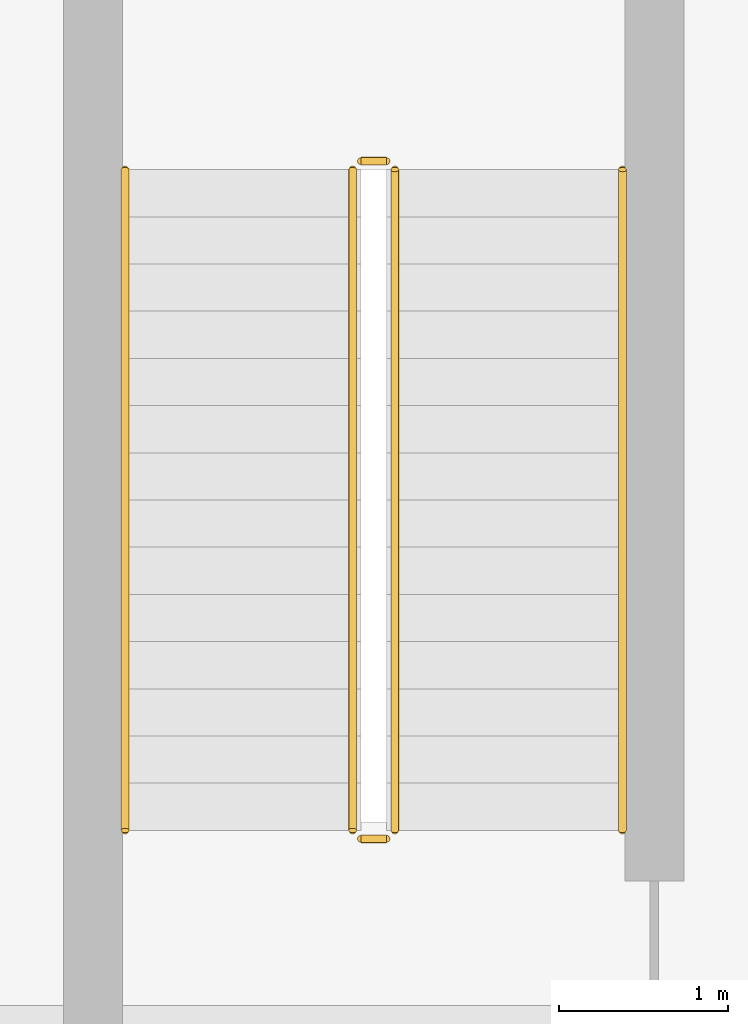
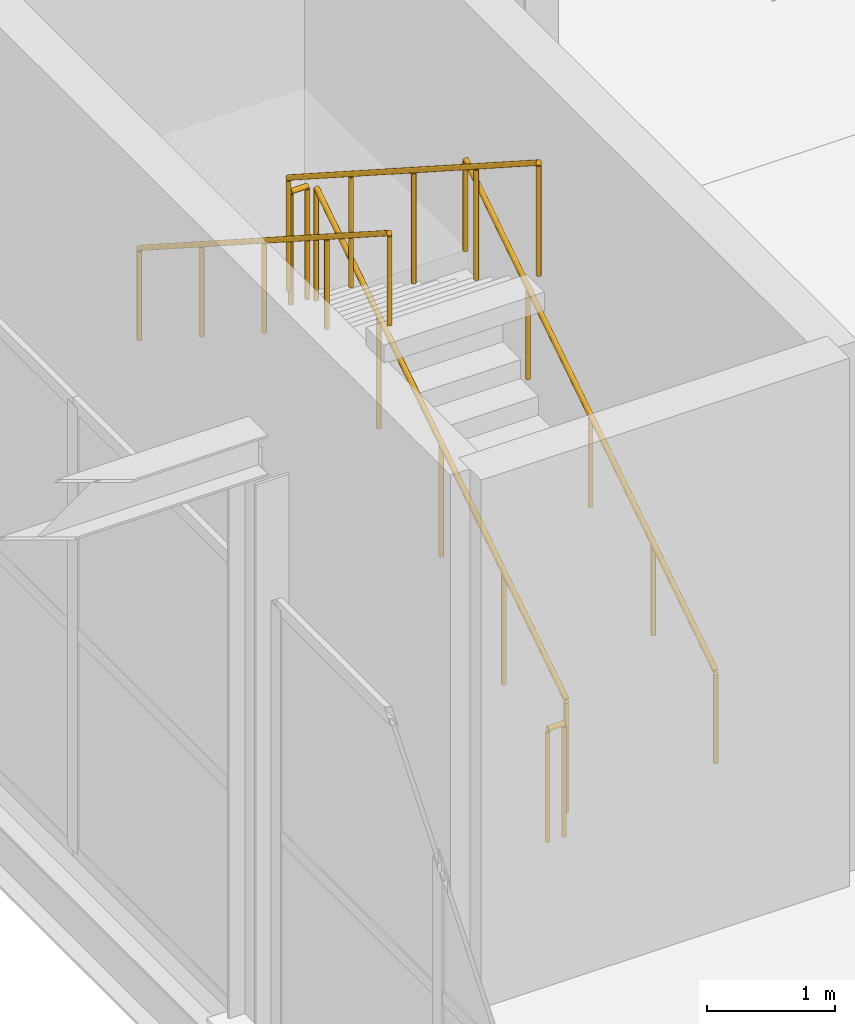
# One storey, part 140 of 147: 6 railings.
"""IFC4 building model written with IfcOpenShell, lengths in metres."""

from ifc_helpers import new_model, si_unit, direction, frame, origin, origin_2d, place, context, subcontext, project, spatial, circle, extrude, material, type_object, element, save


model = new_model("IFC4")

# Units and contexts
model_context = context("Model", 3, precision=1e-05, world=origin(), true_north=direction((0.0, 1.0)))
body_context = subcontext(model_context, "Body", "Model", "MODEL_VIEW")
ifc_project = project(units=[si_unit("LENGTHUNIT", "METRE"), si_unit("AREAUNIT", "SQUARE_METRE"), si_unit("VOLUMEUNIT", "CUBIC_METRE"), si_unit("PLANEANGLEUNIT", "RADIAN"), si_unit("MASSUNIT", "GRAM", prefix="KILO")], contexts=[model_context])

# Site, building, storey
site_placement = place(None, origin())
site = spatial("IfcSite", under=ifc_project, at=site_placement, CompositionType="ELEMENT")
building_placement = place(site_placement, origin())
building = spatial("IfcBuilding", under=site, at=building_placement, Name="Sundgate Opera House", CompositionType="ELEMENT")
storey_placement = place(building_placement, frame((0.0, 0.0, 6.0)))
storey = spatial("IfcBuildingStorey", under=building, at=storey_placement, Name="L01", CompositionType="ELEMENT", Elevation=6.0)

# Railings
ifc_material_1 = material(Name="Painted steel S275 guardrail", Category="steel")
railing_type_1 = type_object("IfcRailingType", Name="RL-STAIR-GUARD-1100", PredefinedType="GUARDRAIL", material=ifc_material_1)
railing_1_placement = place(storey_placement, frame((98.85009765625, 25.89990234375, 0.179931640625)))
element("IfcRailing", 1, at=railing_1_placement, inside=storey, type_object=railing_type_1, Name="ST07L01 Guardrail RL0244", PredefinedType="GUARDRAIL", context=body_context, shape_type="SweptSolid", body=[
    extrude(circle(Radius=0.02392578125, at=origin_2d()), frame((0.0, 0.0, 1.076171875), z_axis=(0.0, 0.841186985886, 0.540744352514), x_axis=(-1.0, 0.0, 0.0)), (0.0, 0.0, 1.0), 4.660400390625),
    extrude(circle(Radius=0.02099609375, at=origin_2d()), origin(), (0.0, 0.0, 1.0), 1.052001953125),
    extrude(circle(Radius=0.02099609375, at=origin_2d()), frame((0.0, 0.97998046875, 0.6298828125)), (0.0, 0.0, 1.0), 1.052001953125),
    extrude(circle(Radius=0.02099609375, at=origin_2d()), frame((0.0, 1.9599609375, 1.260009765625)), (0.0, 0.0, 1.0), 1.052001953125),
    extrude(circle(Radius=0.02099609375, at=origin_2d()), frame((0.0, 2.940185546875, 1.89013671875)), (0.0, 0.0, 1.0), 1.052001953125),
    extrude(circle(Radius=0.02099609375, at=origin_2d()), frame((0.0, 3.920166015625, 2.52001953125)), (0.0, 0.0, 1.0), 1.052001953125),
])
railing_2_placement = place(storey_placement, frame((98.800048828125, 29.8701171875, 2.699951171875)))
element("IfcRailing", 2, at=railing_2_placement, inside=storey, type_object=railing_type_1, Name="ST07L01 Guardrail RL0245", PredefinedType="GUARDRAIL", context=body_context, shape_type="SweptSolid", body=[
    extrude(circle(Radius=0.02392578125, at=origin_2d()), frame((0.0, 0.0, 1.076171875), z_axis=(-1.0, 0.0, 0.0), x_axis=(0.0, -1.0, 0.0)), (0.0, 0.0, 1.0), 0.150146484375),
    extrude(circle(Radius=0.02099609375, at=origin_2d()), origin(), (0.0, 0.0, 1.0), 1.052001953125),
    extrude(circle(Radius=0.02099609375, at=origin_2d()), frame((-0.150146484375, 0.0, 0.0)), (0.0, 0.0, 1.0), 1.052001953125),
])
railing_3_placement = place(storey_placement, frame((98.60009765625, 29.820068359375, 2.8798828125)))
element("IfcRailing", 3, at=railing_3_placement, inside=storey, type_object=railing_type_1, Name="ST07L01 Guardrail RL0246", PredefinedType="GUARDRAIL", context=body_context, shape_type="SweptSolid", body=[
    extrude(circle(Radius=0.02392578125, at=origin_2d()), frame((0.0, 0.0, 1.076171875), z_axis=(0.0, -0.841186985886, 0.540744352514), x_axis=(1.0, 0.0, 0.0)), (0.0, 0.0, 1.0), 4.660400390625),
    extrude(circle(Radius=0.02099609375, at=origin_2d()), origin(), (0.0, 0.0, 1.0), 1.052001953125),
    extrude(circle(Radius=0.02099609375, at=origin_2d()), frame((0.0, -0.97998046875, 0.6298828125)), (0.0, 0.0, 1.0), 1.052001953125),
    extrude(circle(Radius=0.02099609375, at=origin_2d()), frame((0.0, -1.9599609375, 1.260009765625)), (0.0, 0.0, 1.0), 1.052001953125),
    extrude(circle(Radius=0.02099609375, at=origin_2d()), frame((0.0, -2.940185546875, 1.89013671875)), (0.0, 0.0, 1.0), 1.052001953125),
    extrude(circle(Radius=0.02099609375, at=origin_2d()), frame((0.0, -3.920166015625, 2.52001953125)), (0.0, 0.0, 1.0), 1.052001953125),
])
railing_4_placement = place(storey_placement, frame((98.800048828125, 25.85009765625, 0.0)))
element("IfcRailing", 4, at=railing_4_placement, inside=storey, type_object=railing_type_1, Name="ST07L01 Guardrail RL0247", PredefinedType="GUARDRAIL", context=body_context, shape_type="SweptSolid", body=[
    extrude(circle(Radius=0.02392578125, at=origin_2d()), frame((0.0, 0.0, 1.076171875), z_axis=(-1.0, 0.0, 0.0), x_axis=(0.0, -1.0, 0.0)), (0.0, 0.0, 1.0), 0.150146484375),
    extrude(circle(Radius=0.02099609375, at=origin_2d()), origin(), (0.0, 0.0, 1.0), 1.052001953125),
    extrude(circle(Radius=0.02099609375, at=origin_2d()), frame((-0.150146484375, 0.0, 0.0)), (0.0, 0.0, 1.0), 1.052001953125),
])
ifc_material_2 = material(Name="Brushed stainless steel handrail", Category="steel")
railing_type_2 = type_object("IfcRailingType", Name="RL-STAIR-HAND-900", PredefinedType="HANDRAIL", material=ifc_material_2)
railing_5_placement = place(storey_placement, frame((100.199951171875, 25.89990234375, 0.179931640625)))
element("IfcRailing", 5, at=railing_5_placement, inside=storey, type_object=railing_type_2, Name="ST07L01 Handrail RL0248", PredefinedType="HANDRAIL", context=body_context, shape_type="SweptSolid", body=[
    extrude(circle(Radius=0.02392578125, at=origin_2d()), frame((0.0, 0.0, 0.8759765625), z_axis=(0.0, 0.841186985886, 0.540744352514), x_axis=(-1.0, 0.0, 0.0)), (0.0, 0.0, 1.0), 4.660400390625),
    extrude(circle(Radius=0.02099609375, at=origin_2d()), origin(), (0.0, 0.0, 1.0), 0.851806640625),
    extrude(circle(Radius=0.02099609375, at=origin_2d()), frame((0.0, 0.97998046875, 0.6298828125)), (0.0, 0.0, 1.0), 0.851806640625),
    extrude(circle(Radius=0.02099609375, at=origin_2d()), frame((0.0, 1.9599609375, 1.260009765625)), (0.0, 0.0, 1.0), 0.851806640625),
    extrude(circle(Radius=0.02099609375, at=origin_2d()), frame((0.0, 2.940185546875, 1.89013671875)), (0.0, 0.0, 1.0), 0.851806640625),
    extrude(circle(Radius=0.02099609375, at=origin_2d()), frame((0.0, 3.920166015625, 2.52001953125)), (0.0, 0.0, 1.0), 0.851806640625),
])
railing_6_placement = place(storey_placement, frame((97.25, 29.820068359375, 2.8798828125)))
element("IfcRailing", 6, at=railing_6_placement, inside=storey, type_object=railing_type_2, Name="ST07L01 Handrail RL0249", PredefinedType="HANDRAIL", context=body_context, shape_type="SweptSolid", body=[
    extrude(circle(Radius=0.02392578125, at=origin_2d()), frame((0.0, 0.0, 0.8759765625), z_axis=(0.0, -0.841186985886, 0.540744352514), x_axis=(1.0, 0.0, 0.0)), (0.0, 0.0, 1.0), 4.660400390625),
    extrude(circle(Radius=0.02099609375, at=origin_2d()), origin(), (0.0, 0.0, 1.0), 0.851806640625),
    extrude(circle(Radius=0.02099609375, at=origin_2d()), frame((0.0, -0.97998046875, 0.6298828125)), (0.0, 0.0, 1.0), 0.851806640625),
    extrude(circle(Radius=0.02099609375, at=origin_2d()), frame((0.0, -1.9599609375, 1.260009765625)), (0.0, 0.0, 1.0), 0.851806640625),
    extrude(circle(Radius=0.02099609375, at=origin_2d()), frame((0.0, -2.940185546875, 1.89013671875)), (0.0, 0.0, 1.0), 0.851806640625),
    extrude(circle(Radius=0.02099609375, at=origin_2d()), frame((0.0, -3.920166015625, 2.52001953125)), (0.0, 0.0, 1.0), 0.851806640625),
])

save(model, "model.ifc")
